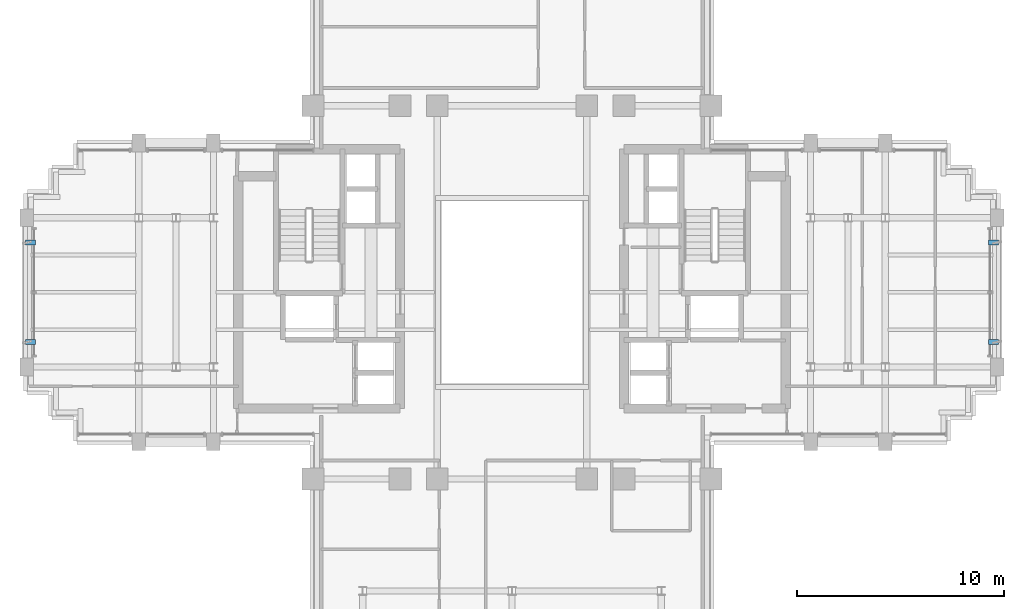
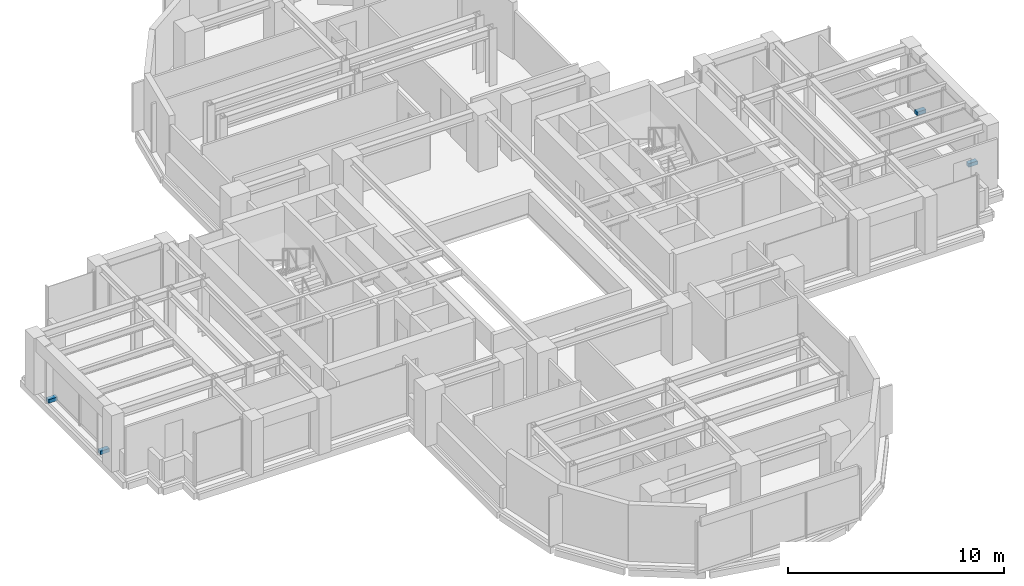
# One storey, part 11 of 14: 4 discrete accessories.
"""IFC4 building model written with IfcOpenShell, lengths in metres."""

from ifc_helpers import new_model, si_unit, direction, frame, origin, origin_2d, place, context, subcontext, project, spatial, rectangle, extrude, source, transform, mapped, material, type_object, element, save


model = new_model("IFC4")

# Units and contexts
model_context = context("Model", 3, precision=1e-05, world=origin(), true_north=direction((0.0, 1.0)))
body_context = subcontext(model_context, "Body", "Model", "MODEL_VIEW")
ifc_project = project(units=[si_unit("LENGTHUNIT", "METRE"), si_unit("AREAUNIT", "SQUARE_METRE"), si_unit("VOLUMEUNIT", "CUBIC_METRE"), si_unit("PLANEANGLEUNIT", "RADIAN"), si_unit("MASSUNIT", "GRAM", prefix="KILO")], contexts=[model_context])

# Site, building, storey
site_placement = place(None, origin())
site = spatial("IfcSite", under=ifc_project, at=site_placement, CompositionType="ELEMENT")
building_placement = place(site_placement, origin())
building = spatial("IfcBuilding", under=site, at=building_placement, Name="Keilestroom Media Tower", CompositionType="ELEMENT")
storey_placement = place(building_placement, frame((0.0, 0.0, 134.60009765625)))
storey = spatial("IfcBuildingStorey", under=building, at=storey_placement, Name="L36", CompositionType="ELEMENT", Elevation=134.60009765625)

# Discrete accessories
ifc_material = material(Name="Stainless Steel 1.4401", Category="steel")
discrete_accessory_type = type_object("IfcDiscreteAccessoryType", Name="Facade-Fin-Fixing-Bracket-BRK-1", PredefinedType="BRACKET", material=ifc_material)
shared_shape = source(origin(), body_context, "Body", "SweptSolid", [
    extrude(rectangle(XDim=0.47998046875, YDim=0.239990234375, at=origin_2d()), origin(), (0.0, 0.0, 1.0), 0.199951171875),
])
for number, where, z_axis, x_axis, name in (
    (1, (-23.2099609375, -2.39990234375, -0.01025390625), (0.0, 0.0, 1.0), (1.0, 0.0, 0.0), "L36 Sunshade Fin Bracket BRK-1 045"),
    (2, (-23.2099609375, 2.39990234375, -0.01025390625), (0.0, 0.0, 1.0), (1.0, 0.0, 0.0), "L36 Sunshade Fin Bracket BRK-1 046"),
    (3, (23.2099609375, -2.39990234375, -0.01025390625), (0.0, 0.0, 1.0), (1.0, 0.0, 0.0), "L36 Sunshade Fin Bracket BRK-1 047"),
    (4, (23.2099609375, 2.39990234375, -0.01025390625), (0.0, 0.0, 1.0), (1.0, 0.0, 0.0), "L36 Sunshade Fin Bracket BRK-1 048"),
):
    element("IfcDiscreteAccessory", number, at=place(storey_placement, frame(where, z_axis=z_axis, x_axis=x_axis)), inside=storey, type_object=discrete_accessory_type, Name=name, PredefinedType="BRACKET", context=body_context, shape_type="MappedRepresentation", body=[
        mapped(shared_shape, transform((0.0, 0.0, 0.0), x_axis=(1.0, 0.0, 0.0), y_axis=(0.0, 1.0, 0.0), z_axis=(0.0, 0.0, 1.0), scale=1.0)),
    ])

save(model, "model.ifc")
